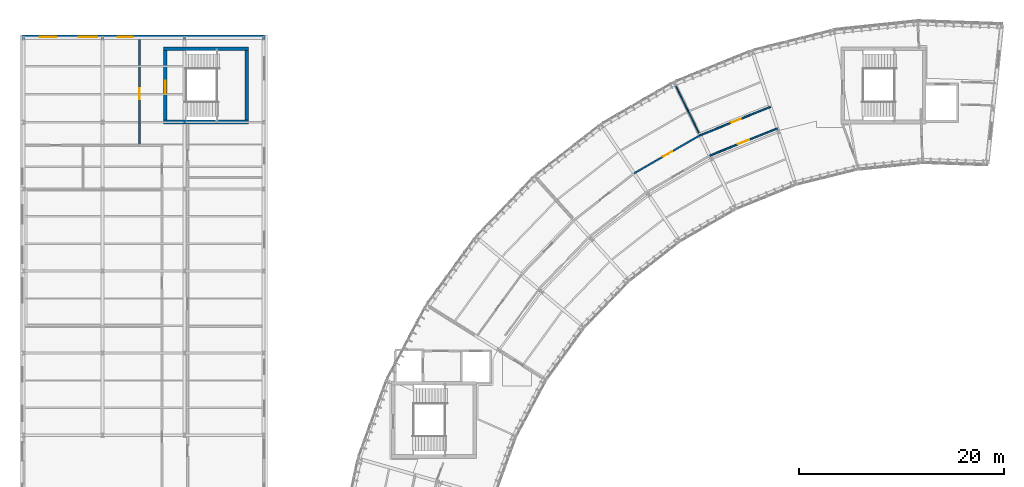
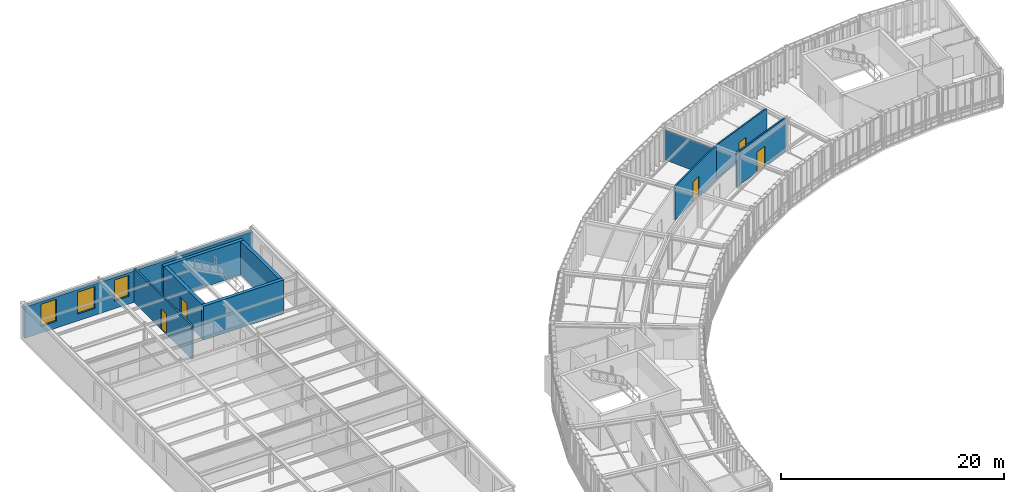
# One storey, part 30 of 41: 10 walls, 5 doors, 3 windows, 8 openings.
"""IFC4 building model written with IfcOpenShell, lengths in metres."""

from ifc_helpers import new_model, si_unit, direction, frame, frame_2d, origin, place, context, subcontext, project, spatial, rectangle, extrude, material, layer, layer_set, type_object, element, fill, save


model = new_model("IFC4")

# Units and contexts
model_context = context("Model", 3, precision=1e-05, world=origin(), true_north=direction((0.0, 1.0)))
body_context = subcontext(model_context, "Body", "Model", "MODEL_VIEW")
ifc_project = project(units=[si_unit("LENGTHUNIT", "METRE"), si_unit("AREAUNIT", "SQUARE_METRE"), si_unit("VOLUMEUNIT", "CUBIC_METRE"), si_unit("PLANEANGLEUNIT", "RADIAN"), si_unit("MASSUNIT", "GRAM", prefix="KILO"), si_unit("THERMODYNAMICTEMPERATUREUNIT", "KELVIN"), si_unit("POWERUNIT", "WATT")], contexts=[model_context])

# Site, building, storey
site_placement = place(None, origin())
site = spatial("IfcSite", under=ifc_project, at=site_placement, CompositionType="ELEMENT")
building_placement = place(site_placement, origin())
building = spatial("IfcBuilding", under=site, at=building_placement, Name="Solvatero Civic Police Headquarters", CompositionType="ELEMENT")
storey_placement = place(building_placement, frame((0.0, 0.0, 17.699951171875)))
storey = spatial("IfcBuildingStorey", under=building, at=storey_placement, Name="L04", CompositionType="ELEMENT", Elevation=17.699951171875)

# Wall, openings, windows
ifc_material_1 = material(Name="Cream Limestone Ashlar", Category="masonry")
ifc_layer_1 = layer(ifc_material_1, 0.419921875)
ifc_layer_set_1 = layer_set([ifc_layer_1], Name="Cream Limestone Ashlar")
wall_type_1 = type_object("IfcWallType", Name="WL-EXT-LIME-420", PredefinedType="SOLIDWALL", material=ifc_layer_set_1)
wall_1_placement = place(storey_placement, frame((4.719970703125, 83.2900390625, 0.0), z_axis=(0.0, 0.0, 1.0), x_axis=(1.0, 0.0, 0.0)))
wall_1 = element("IfcWall", 1, at=wall_1_placement, inside=storey, type_object=wall_type_1, Name="Exterior Wall WLE-L04-V6-N", PredefinedType="SOLIDWALL", context=body_context, shape_type="SweptSolid", body=[
    extrude(rectangle(XDim=23.56005859375, YDim=0.419921875, at=frame_2d((11.780029296875, 0.0))), origin(), (0.0, 0.0, 1.0), 3.420166015625),
])
opening_1_placement = place(wall_1_placement, frame((1.64990234375, 0.0, 0.739990234375)))
opening_1 = element("IfcOpeningElement", 2, at=opening_1_placement, cuts=wall_1, Name="Opening W-04", PredefinedType="OPENING", context=body_context, shape_type="SweptSolid", body=[
    extrude(rectangle(XDim=1.60009765625, YDim=2.39990234375, at=frame_2d((0.800048828125, 1.199951171875))), frame((0.0, 0.219970703125, 0.0), z_axis=(0.0, -1.0, 0.0), x_axis=(1.0, 0.0, 0.0)), (0.0, 0.0, 1.0), 0.43994140625),
])
opening_2_placement = place(wall_1_placement, frame((5.449951171875, 0.0, 0.739990234375)))
opening_2 = element("IfcOpeningElement", 3, at=opening_2_placement, cuts=wall_1, Name="Opening W-05", PredefinedType="OPENING", context=body_context, shape_type="SweptSolid", body=[
    extrude(rectangle(XDim=1.800048828125, YDim=2.39990234375, at=frame_2d((0.89990234375, 1.199951171875))), frame((0.0, 0.219970703125, 0.0), z_axis=(0.0, -1.0, 0.0), x_axis=(1.0, 0.0, 0.0)), (0.0, 0.0, 1.0), 0.43994140625),
])
opening_3_placement = place(wall_1_placement, frame((9.25, 0.0, 0.840087890625)))
opening_3 = element("IfcOpeningElement", 4, at=opening_3_placement, cuts=wall_1, Name="Opening W-03", PredefinedType="OPENING", context=body_context, shape_type="SweptSolid", body=[
    extrude(rectangle(XDim=1.5, YDim=2.300048828125, at=frame_2d((0.75, 1.14990234375))), frame((0.0, 0.219970703125, 0.0), z_axis=(0.0, -1.0, 0.0), x_axis=(1.0, 0.0, 0.0)), (0.0, 0.0, 1.0), 0.43994140625),
])
ifc_material_2 = material(Name="Anodized Bronze Aluminium", Category="aluminium")
window_type_1 = type_object("IfcWindowType", Name="WN-CL-150x230", PartitioningType="SINGLE_PANEL", PredefinedType="WINDOW", material=ifc_material_2)
window_1_placement = place(opening_3_placement, origin())
window_1 = element("IfcWindow", 5, at=window_1_placement, inside=storey, type_object=window_type_1, Name="Exterior Window 0123", OverallHeight=2.300048828125, OverallWidth=1.5, PartitioningType="SINGLE_PANEL", PredefinedType="WINDOW", context=body_context, shape_type="SweptSolid", body=[
    extrude(rectangle(XDim=1.5, YDim=2.300048828125, at=frame_2d((0.75, 1.14990234375))), frame((0.0, 0.030029296875, 0.0), z_axis=(0.0, -1.0, 0.0), x_axis=(1.0, 0.0, 0.0)), (0.0, 0.0, 1.0), 0.06005859375),
])
fill(opening_3, window_1)
window_type_2 = type_object("IfcWindowType", Name="WN-CL-160x240", PartitioningType="SINGLE_PANEL", PredefinedType="WINDOW", material=ifc_material_2)
window_2_placement = place(opening_1_placement, origin())
window_2 = element("IfcWindow", 6, at=window_2_placement, inside=storey, type_object=window_type_2, Name="Exterior Window 0121", OverallHeight=2.39990234375, OverallWidth=1.60009765625, PartitioningType="SINGLE_PANEL", PredefinedType="WINDOW", context=body_context, shape_type="SweptSolid", body=[
    extrude(rectangle(XDim=1.60009765625, YDim=2.39990234375, at=frame_2d((0.800048828125, 1.199951171875))), frame((0.0, 0.030029296875, 0.0), z_axis=(0.0, -1.0, 0.0), x_axis=(1.0, 0.0, 0.0)), (0.0, 0.0, 1.0), 0.06005859375),
])
fill(opening_1, window_2)
window_type_3 = type_object("IfcWindowType", Name="WN-CL-180x240", PartitioningType="SINGLE_PANEL", PredefinedType="WINDOW", material=ifc_material_2)
window_3_placement = place(opening_2_placement, origin())
window_3 = element("IfcWindow", 7, at=window_3_placement, inside=storey, type_object=window_type_3, Name="Exterior Window 0122", OverallHeight=2.39990234375, OverallWidth=1.800048828125, PartitioningType="SINGLE_PANEL", PredefinedType="WINDOW", context=body_context, shape_type="SweptSolid", body=[
    extrude(rectangle(XDim=1.800048828125, YDim=2.39990234375, at=frame_2d((0.89990234375, 1.199951171875))), frame((0.0, 0.030029296875, 0.0), z_axis=(0.0, -1.0, 0.0), x_axis=(1.0, 0.0, 0.0)), (0.0, 0.0, 1.0), 0.06005859375),
])
fill(opening_2, window_3)

# Wall
ifc_material_3 = material(Name="Gypsum Acoustic Stud", Category="gypsum")
ifc_layer_2 = layer(ifc_material_3, 0.1201171875)
ifc_layer_set_2 = layer_set([ifc_layer_2], Name="Gypsum Acoustic Stud")
wall_type_2 = type_object("IfcWallType", Name="WL-PTN-120", PredefinedType="PARTITIONING", material=ifc_layer_set_2)
wall_2_placement = place(storey_placement, frame((70.61279296875, 73.95068359375, 0.0), z_axis=(0.0, 0.0, 1.0), x_axis=(-0.438355450259, 0.898801701839, 0.0)))
element("IfcWall", 8, at=wall_2_placement, inside=storey, type_object=wall_type_2, Name="Interior Partition WLP-L04-ARC-RAD-B04", PredefinedType="PARTITIONING", context=body_context, shape_type="SweptSolid", body=[
    extrude(rectangle(XDim=5.150146484375, YDim=0.1201171875, at=frame_2d((2.5751953125, 0.0))), origin(), (0.0, 0.0, 1.0), 3.25),
])

# Wall, opening, door
ifc_layer_3 = layer(ifc_material_3, 0.14990234375)
ifc_layer_set_3 = layer_set([ifc_layer_3], Name="Gypsum Acoustic Stud")
wall_type_3 = type_object("IfcWallType", Name="WL-PTN-150", PredefinedType="PARTITIONING", material=ifc_layer_set_3)
wall_3_placement = place(storey_placement, frame((78.27099609375, 74.40869140625, 0.0), z_axis=(0.0, 0.0, 1.0), x_axis=(-0.927181218568, -0.374613117677, 0.0)))
wall_3 = element("IfcWall", 9, at=wall_3_placement, inside=storey, type_object=wall_type_3, Name="Interior Partition WLP-L04-ARC-CIN-B04", PredefinedType="PARTITIONING", context=body_context, shape_type="SweptSolid", body=[
    extrude(rectangle(XDim=7.10107421875, YDim=0.14990234375, at=frame_2d((3.550537109375, 0.0))), origin(), (0.0, 0.0, 1.0), 3.679931640625),
])
opening_4_placement = place(wall_3_placement, frame((2.98291015625, 0.0, 0.0)))
opening_4 = element("IfcOpeningElement", 10, at=opening_4_placement, cuts=wall_3, Name="Opening ID-10", PredefinedType="OPENING", context=body_context, shape_type="SweptSolid", body=[
    extrude(rectangle(XDim=1.14990234375, YDim=2.199951171875, at=frame_2d((0.574951171875, 1.10009765625))), frame((0.0, 0.0849609375, 0.0), z_axis=(0.0, -1.0, 0.0), x_axis=(1.0, 0.0, 0.0)), (0.0, 0.0, 1.0), 0.169921875),
])
ifc_material_4 = material(Name="Powder-Coated Steel", Category="steel")
door_type_1 = type_object("IfcDoorType", Name="DR-COR-115x220", OperationType="NOTDEFINED", PredefinedType="DOOR", material=ifc_material_4)
door_1_placement = place(opening_4_placement, origin())
door_1 = element("IfcDoor", 11, at=door_1_placement, inside=storey, type_object=door_type_1, Name="Interior Door DR-L04-ARC-IN-B04", OperationType="SINGLE_SWING_RIGHT", OverallHeight=2.199951171875, OverallWidth=1.14990234375, PredefinedType="DOOR", context=body_context, shape_type="SweptSolid", body=[
    extrude(rectangle(XDim=1.14990234375, YDim=2.199951171875, at=frame_2d((0.574951171875, 1.10009765625))), frame((0.0, 0.02490234375, 0.0), z_axis=(0.0, -1.0, 0.0), x_axis=(1.0, 0.0, 0.0)), (0.0, 0.0, 1.0), 0.050048828125),
])
fill(opening_4, door_1)

wall_4_placement = place(storey_placement, frame((77.59130859375, 76.501220703125, 0.0), z_axis=(0.0, 0.0, 1.0), x_axis=(-0.927187035022, -0.374598721418, 0.0)))
wall_4 = element("IfcWall", 12, at=wall_4_placement, inside=storey, type_object=wall_type_3, Name="Interior Partition WLP-L04-ARC-COUT-B04", PredefinedType="PARTITIONING", context=body_context, shape_type="SweptSolid", body=[
    extrude(rectangle(XDim=7.408203125, YDim=0.14990234375, at=frame_2d((3.7041015625, 0.0))), origin(), (0.0, 0.0, 1.0), 3.679931640625),
])
opening_5_placement = place(wall_4_placement, frame((3.111083984375, 0.0, 0.0)))
opening_5 = element("IfcOpeningElement", 13, at=opening_5_placement, cuts=wall_4, Name="Opening ID-06", PredefinedType="OPENING", context=body_context, shape_type="SweptSolid", body=[
    extrude(rectangle(XDim=1.02001953125, YDim=2.179931640625, at=frame_2d((0.510009765625, 1.08984375))), frame((0.0, 0.0849609375, 0.0), z_axis=(0.0, -1.0, 0.0), x_axis=(1.0, 0.0, 0.0)), (0.0, 0.0, 1.0), 0.169921875),
])
door_type_2 = type_object("IfcDoorType", Name="DR-LAB-102x218", OperationType="NOTDEFINED", PredefinedType="DOOR", material=ifc_material_4)
door_2_placement = place(opening_5_placement, origin())
door_2 = element("IfcDoor", 14, at=door_2_placement, inside=storey, type_object=door_type_2, Name="Interior Door DR-L04-ARC-OUT-B04", OperationType="SINGLE_SWING_LEFT", OverallHeight=2.179931640625, OverallWidth=1.02001953125, PredefinedType="DOOR", context=body_context, shape_type="SweptSolid", body=[
    extrude(rectangle(XDim=1.02001953125, YDim=2.179931640625, at=frame_2d((0.510009765625, 1.08984375))), frame((0.0, 0.02490234375, 0.0), z_axis=(0.0, -1.0, 0.0), x_axis=(1.0, 0.0, 0.0)), (0.0, 0.0, 1.0), 0.050048828125),
])
fill(opening_5, door_2)

ifc_material_5 = material(Name="Concrete Blockwork", Category="masonry")
ifc_layer_4 = layer(ifc_material_5, 0.1650390625)
ifc_layer_set_4 = layer_set([ifc_layer_4], Name="Concrete Blockwork")
wall_type_4 = type_object("IfcWallType", Name="WL-PTN-165", PredefinedType="PARTITIONING", material=ifc_layer_set_4)
wall_5_placement = place(storey_placement, frame((70.722412109375, 73.72607421875, 0.0), z_axis=(0.0, 0.0, 1.0), x_axis=(-0.866019843608, -0.500009630384, 0.0)))
wall_5 = element("IfcWall", 15, at=wall_5_placement, inside=storey, type_object=wall_type_4, Name="Interior Partition WLP-L04-ARC-COUT-B05", PredefinedType="PARTITIONING", context=body_context, shape_type="SweptSolid", body=[
    extrude(rectangle(XDim=7.407958984375, YDim=0.1650390625, at=frame_2d((3.7041015625, 0.0))), origin(), (0.0, 0.0, 1.0), 3.679931640625),
])
opening_6_placement = place(wall_5_placement, frame((3.111083984375, 0.0, 0.0)))
opening_6 = element("IfcOpeningElement", 16, at=opening_6_placement, cuts=wall_5, Name="Opening ID-07", PredefinedType="OPENING", context=body_context, shape_type="SweptSolid", body=[
    extrude(rectangle(XDim=1.050048828125, YDim=2.199951171875, at=frame_2d((0.52490234375, 1.10009765625))), frame((0.0, 0.092529296875, 0.0), z_axis=(0.0, -1.0, 0.0), x_axis=(1.0, 0.0, 0.0)), (0.0, 0.0, 1.0), 0.18505859375),
])
door_type_3 = type_object("IfcDoorType", Name="DR-LAB-105x220", OperationType="NOTDEFINED", PredefinedType="DOOR", material=ifc_material_4)
door_3_placement = place(opening_6_placement, origin())
door_3 = element("IfcDoor", 17, at=door_3_placement, inside=storey, type_object=door_type_3, Name="Interior Door DR-L04-ARC-OUT-B05", OperationType="SINGLE_SWING_LEFT", OverallHeight=2.199951171875, OverallWidth=1.050048828125, PredefinedType="DOOR", context=body_context, shape_type="SweptSolid", body=[
    extrude(rectangle(XDim=1.050048828125, YDim=2.199951171875, at=frame_2d((0.52490234375, 1.10009765625))), frame((0.0, 0.02490234375, 0.0), z_axis=(0.0, -1.0, 0.0), x_axis=(1.0, 0.0, 0.0)), (0.0, 0.0, 1.0), 0.050048828125),
])
fill(opening_6, door_3)

ifc_layer_5 = layer(ifc_material_5, 0.179931640625)
ifc_layer_set_5 = layer_set([ifc_layer_5], Name="Concrete Blockwork")
wall_type_5 = type_object("IfcWallType", Name="WL-PTN-180", PredefinedType="PARTITIONING", material=ifc_layer_set_5)
wall_6_placement = place(storey_placement, frame((16.10009765625, 72.75, 0.0), z_axis=(0.0, 0.0, 1.0), x_axis=(0.0, 1.0, 0.0)))
wall_6 = element("IfcWall", 18, at=wall_6_placement, inside=storey, type_object=wall_type_5, Name="Interior Partition WLP-L04-C4LOB-W", PredefinedType="PARTITIONING", context=body_context, shape_type="SweptSolid", body=[
    extrude(rectangle(XDim=10.300048828125, YDim=0.179931640625, at=frame_2d((5.14990234375, 0.0))), origin(), (0.0, 0.0, 1.0), 3.679931640625),
])
opening_7_placement = place(wall_6_placement, frame((4.5, 0.0, 0.0)))
opening_7 = element("IfcOpeningElement", 19, at=opening_7_placement, cuts=wall_6, Name="Opening ID-07", PredefinedType="OPENING", context=body_context, shape_type="SweptSolid", body=[
    extrude(rectangle(XDim=1.050048828125, YDim=2.199951171875, at=frame_2d((0.52490234375, 1.10009765625))), frame((0.0, 0.099853515625, 0.0), z_axis=(0.0, -1.0, 0.0), x_axis=(1.0, 0.0, 0.0)), (0.0, 0.0, 1.0), 0.199951171875),
])
door_4_placement = place(opening_7_placement, origin())
door_4 = element("IfcDoor", 20, at=door_4_placement, inside=storey, type_object=door_type_3, Name="Interior Door DR-L04-V6-C4W", OperationType="SINGLE_SWING_LEFT", OverallHeight=2.199951171875, OverallWidth=1.050048828125, PredefinedType="DOOR", context=body_context, shape_type="SweptSolid", body=[
    extrude(rectangle(XDim=1.050048828125, YDim=2.199951171875, at=frame_2d((0.52490234375, 1.10009765625))), frame((0.0, 0.02490234375, 0.0), z_axis=(0.0, -1.0, 0.0), x_axis=(1.0, 0.0, 0.0)), (0.0, 0.0, 1.0), 0.050048828125),
])
fill(opening_7, door_4)

# Walls
ifc_material_6 = material(Name="Concrete C40/50", Category="concrete")
ifc_layer_6 = layer(ifc_material_6, 0.35009765625)
ifc_layer_set_6 = layer_set([ifc_layer_6], Name="Concrete C40/50")
wall_type_6 = type_object("IfcWallType", Name="WL-SHR-350", PredefinedType="SHEAR", material=ifc_layer_set_6)
for number, where, z_axis, x_axis, name in (
    (21, (18.449951171875, 75.02490234375, 0.0), (0.0, 0.0, 1.0), (1.0, 0.0, 0.0), "Core C4 Shear Wall S L04"),
    (22, (18.449951171875, 82.175048828125, 0.0), (0.0, 0.0, 1.0), (1.0, 0.0, 0.0), "Core C4 Shear Wall N L04"),
):
    element("IfcWall", number, at=place(storey_placement, frame(where, z_axis=z_axis, x_axis=x_axis)), inside=storey, type_object=wall_type_6, Name=name, PredefinedType="SHEAR", context=body_context, shape_type="SweptSolid", body=[
        extrude(rectangle(XDim=8.300048828125, YDim=0.35009765625, at=frame_2d((4.14990234375, 0.0))), origin(), (0.0, 0.0, 1.0), 3.699951171875),
    ])

# Wall, opening, door
wall_7_placement = place(storey_placement, frame((18.625, 75.199951171875, 0.0), z_axis=(0.0, 0.0, 1.0), x_axis=(0.0, 1.0, 0.0)))
wall_7 = element("IfcWall", 23, at=wall_7_placement, inside=storey, type_object=wall_type_6, Name="Core C4 Shear Wall W L04", PredefinedType="SHEAR", context=body_context, shape_type="SweptSolid", body=[
    extrude(rectangle(XDim=6.800048828125, YDim=0.35009765625, at=frame_2d((3.39990234375, 0.0))), origin(), (0.0, 0.0, 1.0), 3.699951171875),
])
opening_8_placement = place(wall_7_placement, frame((2.60009765625, 0.0, 0.0)))
opening_8 = element("IfcOpeningElement", 24, at=opening_8_placement, cuts=wall_7, Name="Opening FD-01", PredefinedType="OPENING", context=body_context, shape_type="SweptSolid", body=[
    extrude(rectangle(XDim=1.25, YDim=2.199951171875, at=frame_2d((0.625, 1.10009765625))), frame((0.0, 0.18505859375, 0.0), z_axis=(0.0, -1.0, 0.0), x_axis=(1.0, 0.0, 0.0)), (0.0, 0.0, 1.0), 0.3701171875),
])
door_type_4 = type_object("IfcDoorType", Name="DR-STR-125x220", OperationType="NOTDEFINED", PredefinedType="DOOR", material=ifc_material_4)
door_5_placement = place(opening_8_placement, origin())
door_5 = element("IfcDoor", 25, at=door_5_placement, inside=storey, type_object=door_type_4, Name="Interior Door DR-STR-C4-L04", OperationType="SINGLE_SWING_LEFT", OverallHeight=2.199951171875, OverallWidth=1.25, PredefinedType="DOOR", context=body_context, shape_type="SweptSolid", body=[
    extrude(rectangle(XDim=1.25, YDim=2.199951171875, at=frame_2d((0.625, 1.10009765625))), frame((0.0, 0.02490234375, 0.0), z_axis=(0.0, -1.0, 0.0), x_axis=(1.0, 0.0, 0.0)), (0.0, 0.0, 1.0), 0.050048828125),
])
fill(opening_8, door_5)

# Wall
wall_8_placement = place(storey_placement, frame((26.574951171875, 75.199951171875, 0.0), z_axis=(0.0, 0.0, 1.0), x_axis=(0.0, 1.0, 0.0)))
element("IfcWall", 26, at=wall_8_placement, inside=storey, type_object=wall_type_6, Name="Core C4 Shear Wall E L04", PredefinedType="SHEAR", context=body_context, shape_type="SweptSolid", body=[
    extrude(rectangle(XDim=6.800048828125, YDim=0.35009765625, at=frame_2d((3.39990234375, 0.0))), origin(), (0.0, 0.0, 1.0), 3.699951171875),
])

save(model, "model.ifc")
